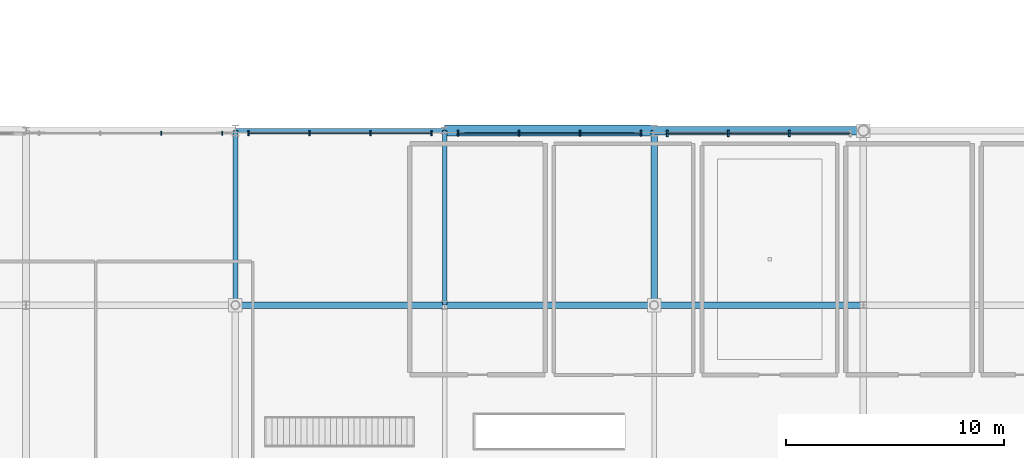
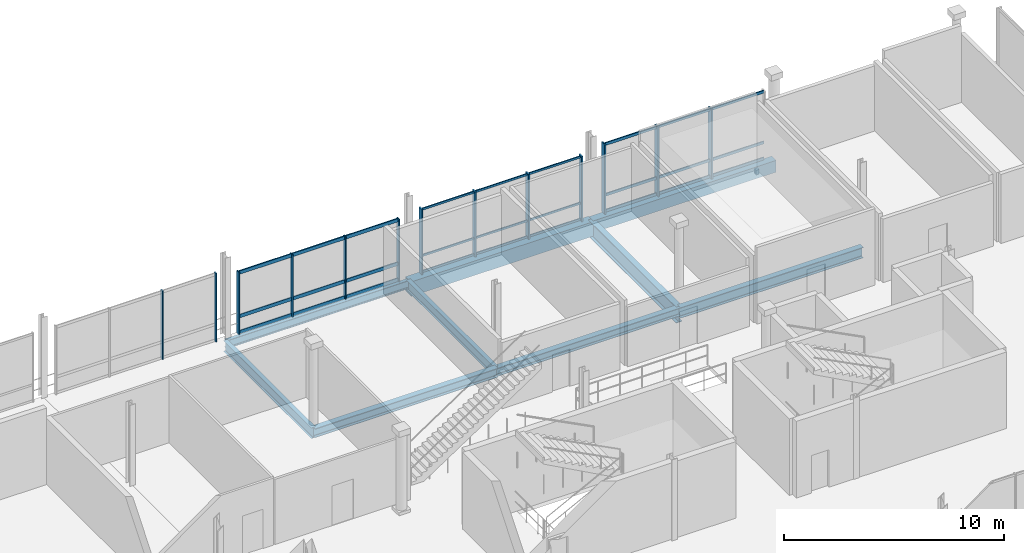
# One storey, part 18 of 36: 22 members, 9 beams, 4 elements without a shape of their own.
"""IFC4 building model written with IfcOpenShell, lengths in metres."""

from ifc_helpers import new_model, si_unit, direction, frame, origin, origin_2d, place, context, subcontext, project, spatial, rectangle, i_section, extrude, material, material_profile, profile_set, type_object, element, aggregate, save


model = new_model("IFC4")

# Units and contexts
model_context = context("Model", 3, precision=1e-05, world=origin(), true_north=direction((0.0, 1.0)))
body_context = subcontext(model_context, "Body", "Model", "MODEL_VIEW")
ifc_project = project(units=[si_unit("LENGTHUNIT", "METRE"), si_unit("AREAUNIT", "SQUARE_METRE"), si_unit("VOLUMEUNIT", "CUBIC_METRE"), si_unit("PLANEANGLEUNIT", "RADIAN"), si_unit("MASSUNIT", "GRAM", prefix="KILO")], contexts=[model_context])

# Site, building, storey
site_placement = place(None, origin())
site = spatial("IfcSite", under=ifc_project, at=site_placement, CompositionType="ELEMENT")
building_placement = place(site_placement, origin())
building = spatial("IfcBuilding", under=site, at=building_placement, Name="Danafjord Basin Convention Centre", CompositionType="ELEMENT")
storey_placement = place(building_placement, frame((0.0, 0.0, 20.39990234375)))
storey = spatial("IfcBuildingStorey", under=building, at=storey_placement, Name="L04", CompositionType="ELEMENT", Elevation=20.39990234375)

# Beams
ifc_material_1 = material(Name="Steel S355", Category="steel")
ifc_material_profile_1 = material_profile(ifc_material_1, i_section(OverallWidth=0.300048828125, OverallDepth=0.590087890625, WebThickness=0.012939453125, FlangeThickness=0.02490234375, FilletRadius=0.027099609375, at=origin_2d()), Name="HEA 600")
ifc_profile_set_1 = profile_set([ifc_material_profile_1], Name="Steel S355")
beam_type_1 = type_object("IfcBeamType", Name="BEAM-BM-HEA600", PredefinedType="BEAM", material=ifc_profile_set_1)
beam_1_placement = place(storey_placement, frame((86.39990234375, 32.0, -0.518798828125), z_axis=(1.0, 0.0, 0.0), x_axis=(0.0, 1.0, 0.0)))
element("IfcBeam", 1, at=beam_1_placement, inside=storey, type_object=beam_type_1, Name="L04 girder BM-HEA600", PredefinedType="BEAM", context=body_context, shape_type="SweptSolid", body=[
    extrude(i_section(OverallWidth=0.300048828125, OverallDepth=0.590087890625, WebThickness=0.012939453125, FlangeThickness=0.02490234375, FilletRadius=0.027099609375, at=origin_2d()), origin(), (0.0, 0.0, 1.0), 9.60009765625),
])
ifc_material_profile_2 = material_profile(ifc_material_1, i_section(OverallWidth=0.300048828125, OverallDepth=0.449951171875, WebThickness=0.013916015625, FlangeThickness=0.02587890625, FilletRadius=0.027099609375, at=origin_2d()), Name="HEB 450")
ifc_profile_set_2 = profile_set([ifc_material_profile_2], Name="Steel S355")
beam_type_2 = type_object("IfcBeamType", Name="BEAM-BM-HEB450", PredefinedType="BEAM", material=ifc_profile_set_2)
beam_2_placement = place(storey_placement, frame((76.800048828125, 32.0, -0.448974609375), z_axis=(1.0, 0.0, 0.0), x_axis=(0.0, 1.0, 0.0)))
element("IfcBeam", 2, at=beam_2_placement, inside=storey, type_object=beam_type_2, Name="L04 girder BM-HEB450", PredefinedType="BEAM", context=body_context, shape_type="SweptSolid", body=[
    extrude(i_section(OverallWidth=0.300048828125, OverallDepth=0.449951171875, WebThickness=0.013916015625, FlangeThickness=0.02587890625, FilletRadius=0.027099609375, at=origin_2d()), origin(), (0.0, 0.0, 1.0), 9.599853515625),
])
ifc_material_profile_3 = material_profile(ifc_material_1, i_section(OverallWidth=0.300048828125, OverallDepth=0.5, WebThickness=0.014404296875, FlangeThickness=0.028076171875, FilletRadius=0.027099609375, at=origin_2d()), Name="HEB 500")
ifc_profile_set_3 = profile_set([ifc_material_profile_3], Name="Steel S355")
beam_type_3 = type_object("IfcBeamType", Name="BEAM-BM-HEB500", PredefinedType="BEAM", material=ifc_profile_set_3)
beam_3_placement = place(storey_placement, frame((67.199951171875, 32.0, -0.473876953125), z_axis=(1.0, 0.0, 0.0), x_axis=(0.0, 1.0, 0.0)))
element("IfcBeam", 3, at=beam_3_placement, inside=storey, type_object=beam_type_3, Name="L04 girder BM-HEB500", PredefinedType="BEAM", context=body_context, shape_type="SweptSolid", body=[
    extrude(i_section(OverallWidth=0.300048828125, OverallDepth=0.5, WebThickness=0.014404296875, FlangeThickness=0.028076171875, FilletRadius=0.027099609375, at=origin_2d()), origin(), (0.0, 0.0, 1.0), 9.60009765625),
])
ifc_material_profile_4 = material_profile(ifc_material_1, i_section(OverallWidth=0.300048828125, OverallDepth=0.89990234375, WebThickness=0.0185546875, FlangeThickness=0.034912109375, FilletRadius=0.030029296875, at=origin_2d()), Name="HEB 900")
ifc_profile_set_4 = profile_set([ifc_material_profile_4], Name="Steel S355")
beam_type_4 = type_object("IfcBeamType", Name="BEAM-BM-HEB900", PredefinedType="BEAM", material=ifc_profile_set_4)
beam_4_placement = place(storey_placement, frame((86.39990234375, 32.0, -0.673828125), z_axis=(0.0, 1.0, 0.0), x_axis=(-1.0, 0.0, 0.0)))
element("IfcBeam", 4, at=beam_4_placement, inside=storey, type_object=beam_type_4, Name="L04 transverse girder BM-HEB900", PredefinedType="BEAM", context=body_context, shape_type="SweptSolid", body=[
    extrude(i_section(OverallWidth=0.300048828125, OverallDepth=0.89990234375, WebThickness=0.0185546875, FlangeThickness=0.034912109375, FilletRadius=0.030029296875, at=origin_2d()), origin(), (0.0, 0.0, 1.0), 8.0),
])
ifc_material_profile_5 = material_profile(ifc_material_1, i_section(OverallWidth=0.2099609375, OverallDepth=0.550048828125, WebThickness=0.010986328125, FlangeThickness=0.01708984375, FilletRadius=0.02392578125, at=origin_2d()), Name="IPE 550")
ifc_profile_set_5 = profile_set([ifc_material_profile_5], Name="Steel S355")
beam_type_5 = type_object("IfcBeamType", Name="BEAM-BM-IPE550", PredefinedType="BEAM", material=ifc_profile_set_5)
beam_5_placement = place(storey_placement, frame((76.800048828125, 32.0, -0.4990234375), z_axis=(0.0, 1.0, 0.0), x_axis=(-1.0, 0.0, 0.0)))
element("IfcBeam", 5, at=beam_5_placement, inside=storey, type_object=beam_type_5, Name="L04 transverse girder BM-IPE550", PredefinedType="BEAM", context=body_context, shape_type="SweptSolid", body=[
    extrude(i_section(OverallWidth=0.2099609375, OverallDepth=0.550048828125, WebThickness=0.010986328125, FlangeThickness=0.01708984375, FilletRadius=0.02392578125, at=origin_2d()), origin(), (0.0, 0.0, 1.0), 8.0),
])
ifc_material_profile_6 = material_profile(ifc_material_1, i_section(OverallWidth=0.219970703125, OverallDepth=0.60009765625, WebThickness=0.011962890625, FlangeThickness=0.01904296875, FilletRadius=0.02392578125, at=origin_2d()), Name="IPE 600")
ifc_profile_set_6 = profile_set([ifc_material_profile_6], Name="Steel S355")
beam_type_6 = type_object("IfcBeamType", Name="BEAM-BM-IPE600", PredefinedType="BEAM", material=ifc_profile_set_6)
beam_6_placement = place(storey_placement, frame((67.199951171875, 32.0, -0.52392578125), z_axis=(0.0, 1.0, 0.0), x_axis=(-1.0, 0.0, 0.0)))
element("IfcBeam", 6, at=beam_6_placement, inside=storey, type_object=beam_type_6, Name="L04 transverse girder BM-IPE600", PredefinedType="BEAM", context=body_context, shape_type="SweptSolid", body=[
    extrude(i_section(OverallWidth=0.219970703125, OverallDepth=0.60009765625, WebThickness=0.011962890625, FlangeThickness=0.01904296875, FilletRadius=0.02392578125, at=origin_2d()), origin(), (0.0, 0.0, 1.0), 8.0),
])
ifc_material_profile_7 = material_profile(ifc_material_1, i_section(OverallWidth=0.18994140625, OverallDepth=0.449951171875, WebThickness=0.009521484375, FlangeThickness=0.0146484375, FilletRadius=0.02099609375, at=origin_2d()), Name="IPE 450")
ifc_profile_set_7 = profile_set([ifc_material_profile_7], Name="Steel S355")
beam_type_7 = type_object("IfcBeamType", Name="BEAM-SP-IPE450", PredefinedType="SPANDREL", material=ifc_profile_set_7)
beam_7_placement = place(storey_placement, frame((67.199951171875, 40.0, -0.448974609375), z_axis=(1.0, 0.0, 0.0), x_axis=(0.0, 1.0, 0.0)))
element("IfcBeam", 7, at=beam_7_placement, inside=storey, type_object=beam_type_7, Name="L04 girder SP-IPE450", PredefinedType="SPANDREL", context=body_context, shape_type="SweptSolid", body=[
    extrude(i_section(OverallWidth=0.18994140625, OverallDepth=0.449951171875, WebThickness=0.009521484375, FlangeThickness=0.0146484375, FilletRadius=0.02099609375, at=origin_2d()), origin(), (0.0, 0.0, 1.0), 9.60009765625),
])
ifc_material_2 = material(Name="Precast concrete C45/55", Category="concrete")
ifc_material_profile_8 = material_profile(ifc_material_2, rectangle(XDim=0.39990234375, YDim=0.64990234375, at=origin_2d()), Name="PCB 400x650")
ifc_profile_set_8 = profile_set([ifc_material_profile_8], Name="Precast concrete C45/55")
beam_type_8 = type_object("IfcBeamType", Name="BEAM-SP-PCB650", PredefinedType="SPANDREL", material=ifc_profile_set_8)
beam_8_placement = place(storey_placement, frame((86.39990234375, 40.0, -0.548828125), z_axis=(1.0, 0.0, 0.0), x_axis=(0.0, 1.0, 0.0)))
element("IfcBeam", 8, at=beam_8_placement, inside=storey, type_object=beam_type_8, Name="L04 girder SP-PCB650", PredefinedType="SPANDREL", context=body_context, shape_type="SweptSolid", body=[
    extrude(rectangle(XDim=0.39990234375, YDim=0.64990234375, at=origin_2d()), origin(), (0.0, 0.0, 1.0), 9.60009765625),
])
ifc_material_profile_9 = material_profile(ifc_material_2, rectangle(XDim=0.5, YDim=0.800048828125, at=origin_2d()), Name="PCB 500x800")
ifc_profile_set_9 = profile_set([ifc_material_profile_9], Name="Precast concrete C45/55")
beam_type_9 = type_object("IfcBeamType", Name="BEAM-SP-PCB800", PredefinedType="SPANDREL", material=ifc_profile_set_9)
beam_9_placement = place(storey_placement, frame((76.800048828125, 40.0, -0.6240234375), z_axis=(1.0, 0.0, 0.0), x_axis=(0.0, 1.0, 0.0)))
element("IfcBeam", 9, at=beam_9_placement, inside=storey, type_object=beam_type_9, Name="L04 girder SP-PCB800", PredefinedType="SPANDREL", context=body_context, shape_type="SweptSolid", body=[
    extrude(rectangle(XDim=0.5, YDim=0.800048828125, at=origin_2d()), origin(), (0.0, 0.0, 1.0), 9.599853515625),
])

# Curtain wall, members
ifc_material_3 = material(Name="Anodised aluminium and triple glazing", Category="aluminium")
curtain_wall_type = type_object("IfcCurtainWallType", Name="CW-CW-TERR", PredefinedType="NOTDEFINED", material=ifc_material_3)
curtain_wall_1_placement = place(storey_placement, origin())
curtain_wall_1 = element("IfcCurtainWall", 10, at=curtain_wall_1_placement, inside=storey, type_object=curtain_wall_type, Name="L04 CW-TERR unitised curtain wall bay 91", PredefinedType="NOTDEFINED")
ifc_material_4 = material(Name="Anodised aluminium EN AW-6060", Category="aluminium")
ifc_material_profile_10 = material_profile(ifc_material_4, rectangle(XDim=0.06005859375, YDim=0.179931640625, at=origin_2d()), Name="MULL 60x180")
ifc_profile_set_10 = profile_set([ifc_material_profile_10], Name="Anodised aluminium EN AW-6060")
member_type_1 = type_object("IfcMemberType", Name="MEM-ML-180", PredefinedType="MULLION", material=ifc_profile_set_10)
member_1_placement = place(storey_placement, frame((66.60009765625, 39.8798828125, -0.02490234375), z_axis=(0.0, 0.0, 1.0), x_axis=(-1.0, 0.0, 0.0)))
member_1 = element("IfcMember", 11, at=member_1_placement, type_object=member_type_1, Name="CW-L04-091 mullion 1", PredefinedType="MULLION", context=body_context, shape_type="SweptSolid", body=[
    extrude(rectangle(XDim=0.06005859375, YDim=0.179931640625, at=origin_2d()), origin(), (0.0, 0.0, 1.0), 3.81494140625),
])
member_2_placement = place(storey_placement, frame((63.800048828125, 39.8798828125, -0.02490234375), z_axis=(0.0, 0.0, 1.0), x_axis=(-1.0, 0.0, 0.0)))
member_2 = element("IfcMember", 12, at=member_2_placement, type_object=member_type_1, Name="CW-L04-091 mullion 2", PredefinedType="MULLION", context=body_context, shape_type="SweptSolid", body=[
    extrude(rectangle(XDim=0.06005859375, YDim=0.179931640625, at=origin_2d()), origin(), (0.0, 0.0, 1.0), 3.81494140625),
])
aggregate(curtain_wall_1, [member_1, member_2])

curtain_wall_2_placement = place(storey_placement, origin())
curtain_wall_2 = element("IfcCurtainWall", 13, at=curtain_wall_2_placement, inside=storey, type_object=curtain_wall_type, Name="L04 CW-TERR unitised curtain wall bay 92", PredefinedType="NOTDEFINED")
ifc_material_profile_11 = material_profile(ifc_material_4, rectangle(XDim=0.06494140625, YDim=0.219970703125, at=origin_2d()), Name="MULL 65x220")
ifc_profile_set_11 = profile_set([ifc_material_profile_11], Name="Anodised aluminium EN AW-6060")
member_type_2 = type_object("IfcMemberType", Name="MEM-ML-220", PredefinedType="MULLION", material=ifc_profile_set_11)
member_3_placement = place(storey_placement, frame((76.199951171875, 39.8798828125, -0.02490234375), z_axis=(0.0, 0.0, 1.0), x_axis=(-1.0, 0.0, 0.0)))
member_3 = element("IfcMember", 14, at=member_3_placement, type_object=member_type_2, Name="CW-L04-092 mullion 1", PredefinedType="MULLION", context=body_context, shape_type="SweptSolid", body=[
    extrude(rectangle(XDim=0.06494140625, YDim=0.219970703125, at=origin_2d()), origin(), (0.0, 0.0, 1.0), 3.465087890625),
])
member_4_placement = place(storey_placement, frame((73.39990234375, 39.8798828125, -0.02490234375), z_axis=(0.0, 0.0, 1.0), x_axis=(-1.0, 0.0, 0.0)))
member_4 = element("IfcMember", 15, at=member_4_placement, type_object=member_type_2, Name="CW-L04-092 mullion 2", PredefinedType="MULLION", context=body_context, shape_type="SweptSolid", body=[
    extrude(rectangle(XDim=0.06494140625, YDim=0.219970703125, at=origin_2d()), origin(), (0.0, 0.0, 1.0), 3.465087890625),
])
member_5_placement = place(storey_placement, frame((70.60009765625, 39.8798828125, -0.02490234375), z_axis=(0.0, 0.0, 1.0), x_axis=(-1.0, 0.0, 0.0)))
member_5 = element("IfcMember", 16, at=member_5_placement, type_object=member_type_2, Name="CW-L04-092 mullion 3", PredefinedType="MULLION", context=body_context, shape_type="SweptSolid", body=[
    extrude(rectangle(XDim=0.06494140625, YDim=0.219970703125, at=origin_2d()), origin(), (0.0, 0.0, 1.0), 3.465087890625),
])
member_6_placement = place(storey_placement, frame((67.800048828125, 39.8798828125, -0.02490234375), z_axis=(0.0, 0.0, 1.0), x_axis=(-1.0, 0.0, 0.0)))
member_6 = element("IfcMember", 17, at=member_6_placement, type_object=member_type_2, Name="CW-L04-092 mullion 4", PredefinedType="MULLION", context=body_context, shape_type="SweptSolid", body=[
    extrude(rectangle(XDim=0.06494140625, YDim=0.219970703125, at=origin_2d()), origin(), (0.0, 0.0, 1.0), 3.465087890625),
])

curtain_wall_3_placement = place(storey_placement, origin())
curtain_wall_3 = element("IfcCurtainWall", 18, at=curtain_wall_3_placement, inside=storey, type_object=curtain_wall_type, Name="L04 CW-TERR unitised curtain wall bay 93", PredefinedType="NOTDEFINED")
ifc_material_profile_12 = material_profile(ifc_material_4, rectangle(XDim=0.070068359375, YDim=0.260009765625, at=origin_2d()), Name="MULL 70x260")
ifc_profile_set_12 = profile_set([ifc_material_profile_12], Name="Anodised aluminium EN AW-6060")
member_type_3 = type_object("IfcMemberType", Name="MEM-ML-260", PredefinedType="MULLION", material=ifc_profile_set_12)
member_7_placement = place(storey_placement, frame((85.800048828125, 39.8798828125, -0.02490234375), z_axis=(0.0, 0.0, 1.0), x_axis=(-1.0, 0.0, 0.0)))
member_7 = element("IfcMember", 19, at=member_7_placement, type_object=member_type_3, Name="CW-L04-093 mullion 1", PredefinedType="MULLION", context=body_context, shape_type="SweptSolid", body=[
    extrude(rectangle(XDim=0.070068359375, YDim=0.260009765625, at=origin_2d()), origin(), (0.0, 0.0, 1.0), 3.614990234375),
])
member_8_placement = place(storey_placement, frame((83.0, 39.8798828125, -0.02490234375), z_axis=(0.0, 0.0, 1.0), x_axis=(-1.0, 0.0, 0.0)))
member_8 = element("IfcMember", 20, at=member_8_placement, type_object=member_type_3, Name="CW-L04-093 mullion 2", PredefinedType="MULLION", context=body_context, shape_type="SweptSolid", body=[
    extrude(rectangle(XDim=0.070068359375, YDim=0.260009765625, at=origin_2d()), origin(), (0.0, 0.0, 1.0), 3.614990234375),
])
member_9_placement = place(storey_placement, frame((80.199951171875, 39.8798828125, -0.02490234375), z_axis=(0.0, 0.0, 1.0), x_axis=(-1.0, 0.0, 0.0)))
member_9 = element("IfcMember", 21, at=member_9_placement, type_object=member_type_3, Name="CW-L04-093 mullion 3", PredefinedType="MULLION", context=body_context, shape_type="SweptSolid", body=[
    extrude(rectangle(XDim=0.070068359375, YDim=0.260009765625, at=origin_2d()), origin(), (0.0, 0.0, 1.0), 3.614990234375),
])
member_10_placement = place(storey_placement, frame((77.39990234375, 39.8798828125, -0.02490234375), z_axis=(0.0, 0.0, 1.0), x_axis=(-1.0, 0.0, 0.0)))
member_10 = element("IfcMember", 22, at=member_10_placement, type_object=member_type_3, Name="CW-L04-093 mullion 4", PredefinedType="MULLION", context=body_context, shape_type="SweptSolid", body=[
    extrude(rectangle(XDim=0.070068359375, YDim=0.260009765625, at=origin_2d()), origin(), (0.0, 0.0, 1.0), 3.614990234375),
])

curtain_wall_4_placement = place(storey_placement, origin())
curtain_wall_4 = element("IfcCurtainWall", 23, at=curtain_wall_4_placement, inside=storey, type_object=curtain_wall_type, Name="L04 CW-TERR unitised curtain wall bay 94", PredefinedType="NOTDEFINED")
ifc_material_profile_13 = material_profile(ifc_material_4, rectangle(XDim=0.080078125, YDim=0.300048828125, at=origin_2d()), Name="MULL 80x300")
ifc_profile_set_13 = profile_set([ifc_material_profile_13], Name="Anodised aluminium EN AW-6060")
member_type_4 = type_object("IfcMemberType", Name="MEM-ML-300", PredefinedType="MULLION", material=ifc_profile_set_13)
member_11_placement = place(storey_placement, frame((92.60009765625, 39.8798828125, -0.02490234375), z_axis=(0.0, 0.0, 1.0), x_axis=(-1.0, 0.0, 0.0)))
member_11 = element("IfcMember", 24, at=member_11_placement, type_object=member_type_4, Name="CW-L04-094 mullion 2", PredefinedType="MULLION", context=body_context, shape_type="SweptSolid", body=[
    extrude(rectangle(XDim=0.080078125, YDim=0.300048828125, at=origin_2d()), origin(), (0.0, 0.0, 1.0), 3.864990234375),
])
member_12_placement = place(storey_placement, frame((89.800048828125, 39.8798828125, -0.02490234375), z_axis=(0.0, 0.0, 1.0), x_axis=(-1.0, 0.0, 0.0)))
member_12 = element("IfcMember", 25, at=member_12_placement, type_object=member_type_4, Name="CW-L04-094 mullion 3", PredefinedType="MULLION", context=body_context, shape_type="SweptSolid", body=[
    extrude(rectangle(XDim=0.080078125, YDim=0.300048828125, at=origin_2d()), origin(), (0.0, 0.0, 1.0), 3.864990234375),
])
member_13_placement = place(storey_placement, frame((87.0, 39.8798828125, -0.02490234375), z_axis=(0.0, 0.0, 1.0), x_axis=(-1.0, 0.0, 0.0)))
member_13 = element("IfcMember", 26, at=member_13_placement, type_object=member_type_4, Name="CW-L04-094 mullion 4", PredefinedType="MULLION", context=body_context, shape_type="SweptSolid", body=[
    extrude(rectangle(XDim=0.080078125, YDim=0.300048828125, at=origin_2d()), origin(), (0.0, 0.0, 1.0), 3.864990234375),
])

# Member
ifc_material_profile_14 = material_profile(ifc_material_4, rectangle(XDim=0.06005859375, YDim=0.110107421875, at=origin_2d()), Name="TRAN 60x110")
ifc_profile_set_14 = profile_set([ifc_material_profile_14], Name="Anodised aluminium EN AW-6060")
member_type_5 = type_object("IfcMemberType", Name="MEM-TR-110", PredefinedType="USERDEFINED", material=ifc_profile_set_14)
member_14_placement = place(storey_placement, frame((85.800048828125, 39.8798828125, 0.06005859375), z_axis=(-1.0, 0.0, 0.0), x_axis=(0.0, -1.0, 0.0)))
member_14 = element("IfcMember", 27, at=member_14_placement, type_object=member_type_5, Name="CW-L04-093 transom 1", ObjectType="TRANSOM", PredefinedType="USERDEFINED", context=body_context, shape_type="SweptSolid", body=[
    extrude(rectangle(XDim=0.06005859375, YDim=0.110107421875, at=origin_2d()), origin(), (0.0, 0.0, 1.0), 8.400146484375),
])

member_15_placement = place(storey_placement, frame((85.800048828125, 39.8798828125, 0.9501953125), z_axis=(-1.0, 0.0, 0.0), x_axis=(0.0, -1.0, 0.0)))
member_15 = element("IfcMember", 28, at=member_15_placement, type_object=member_type_5, Name="CW-L04-093 transom 2", ObjectType="TRANSOM", PredefinedType="USERDEFINED", context=body_context, shape_type="SweptSolid", body=[
    extrude(rectangle(XDim=0.06005859375, YDim=0.110107421875, at=origin_2d()), origin(), (0.0, 0.0, 1.0), 8.400146484375),
])

member_16_placement = place(storey_placement, frame((85.800048828125, 39.8798828125, 3.52001953125), z_axis=(-1.0, 0.0, 0.0), x_axis=(0.0, -1.0, 0.0)))
member_16 = element("IfcMember", 29, at=member_16_placement, type_object=member_type_5, Name="CW-L04-093 transom 3", ObjectType="TRANSOM", PredefinedType="USERDEFINED", context=body_context, shape_type="SweptSolid", body=[
    extrude(rectangle(XDim=0.06005859375, YDim=0.110107421875, at=origin_2d()), origin(), (0.0, 0.0, 1.0), 8.400146484375),
])

aggregate(curtain_wall_3, [member_7, member_8, member_9, member_10, member_14, member_15, member_16])

ifc_material_profile_15 = material_profile(ifc_material_4, rectangle(XDim=0.06005859375, YDim=0.14990234375, at=origin_2d()), Name="TRAN 60x150")
ifc_profile_set_15 = profile_set([ifc_material_profile_15], Name="Anodised aluminium EN AW-6060")
member_type_6 = type_object("IfcMemberType", Name="MEM-TR-150", PredefinedType="USERDEFINED", material=ifc_profile_set_15)
member_17_placement = place(storey_placement, frame((95.39990234375, 39.8798828125, 0.06005859375), z_axis=(-1.0, 0.0, 0.0), x_axis=(0.0, -1.0, 0.0)))
member_17 = element("IfcMember", 30, at=member_17_placement, type_object=member_type_6, Name="CW-L04-094 transom 1", ObjectType="TRANSOM", PredefinedType="USERDEFINED", context=body_context, shape_type="SweptSolid", body=[
    extrude(rectangle(XDim=0.06005859375, YDim=0.14990234375, at=origin_2d()), origin(), (0.0, 0.0, 1.0), 8.39990234375),
])

member_18_placement = place(storey_placement, frame((95.39990234375, 39.8798828125, 0.9501953125), z_axis=(-1.0, 0.0, 0.0), x_axis=(0.0, -1.0, 0.0)))
member_18 = element("IfcMember", 31, at=member_18_placement, type_object=member_type_6, Name="CW-L04-094 transom 2", ObjectType="TRANSOM", PredefinedType="USERDEFINED", context=body_context, shape_type="SweptSolid", body=[
    extrude(rectangle(XDim=0.06005859375, YDim=0.14990234375, at=origin_2d()), origin(), (0.0, 0.0, 1.0), 8.39990234375),
])

member_19_placement = place(storey_placement, frame((95.39990234375, 39.8798828125, 3.77001953125), z_axis=(-1.0, 0.0, 0.0), x_axis=(0.0, -1.0, 0.0)))
member_19 = element("IfcMember", 32, at=member_19_placement, type_object=member_type_6, Name="CW-L04-094 transom 3", ObjectType="TRANSOM", PredefinedType="USERDEFINED", context=body_context, shape_type="SweptSolid", body=[
    extrude(rectangle(XDim=0.06005859375, YDim=0.14990234375, at=origin_2d()), origin(), (0.0, 0.0, 1.0), 8.39990234375),
])

aggregate(curtain_wall_4, [member_11, member_12, member_13, member_17, member_18, member_19])

ifc_material_profile_16 = material_profile(ifc_material_4, rectangle(XDim=0.06494140625, YDim=0.18994140625, at=origin_2d()), Name="TRAN 65x190")
ifc_profile_set_16 = profile_set([ifc_material_profile_16], Name="Anodised aluminium EN AW-6060")
member_type_7 = type_object("IfcMemberType", Name="MEM-TR-190", PredefinedType="USERDEFINED", material=ifc_profile_set_16)
member_20_placement = place(storey_placement, frame((76.199951171875, 39.8798828125, 0.06005859375), z_axis=(-1.0, 0.0, 0.0), x_axis=(0.0, -1.0, 0.0)))
member_20 = element("IfcMember", 33, at=member_20_placement, type_object=member_type_7, Name="CW-L04-092 transom 1", ObjectType="TRANSOM", PredefinedType="USERDEFINED", context=body_context, shape_type="SweptSolid", body=[
    extrude(rectangle(XDim=0.06494140625, YDim=0.18994140625, at=origin_2d()), origin(), (0.0, 0.0, 1.0), 8.39990234375),
])

member_21_placement = place(storey_placement, frame((76.199951171875, 39.8798828125, 0.9501953125), z_axis=(-1.0, 0.0, 0.0), x_axis=(0.0, -1.0, 0.0)))
member_21 = element("IfcMember", 34, at=member_21_placement, type_object=member_type_7, Name="CW-L04-092 transom 2", ObjectType="TRANSOM", PredefinedType="USERDEFINED", context=body_context, shape_type="SweptSolid", body=[
    extrude(rectangle(XDim=0.06494140625, YDim=0.18994140625, at=origin_2d()), origin(), (0.0, 0.0, 1.0), 8.39990234375),
])

member_22_placement = place(storey_placement, frame((76.199951171875, 39.8798828125, 3.3701171875), z_axis=(-1.0, 0.0, 0.0), x_axis=(0.0, -1.0, 0.0)))
member_22 = element("IfcMember", 35, at=member_22_placement, type_object=member_type_7, Name="CW-L04-092 transom 3", ObjectType="TRANSOM", PredefinedType="USERDEFINED", context=body_context, shape_type="SweptSolid", body=[
    extrude(rectangle(XDim=0.06494140625, YDim=0.18994140625, at=origin_2d()), origin(), (0.0, 0.0, 1.0), 8.39990234375),
])

aggregate(curtain_wall_2, [member_3, member_4, member_5, member_6, member_20, member_21, member_22])

save(model, "model.ifc")
